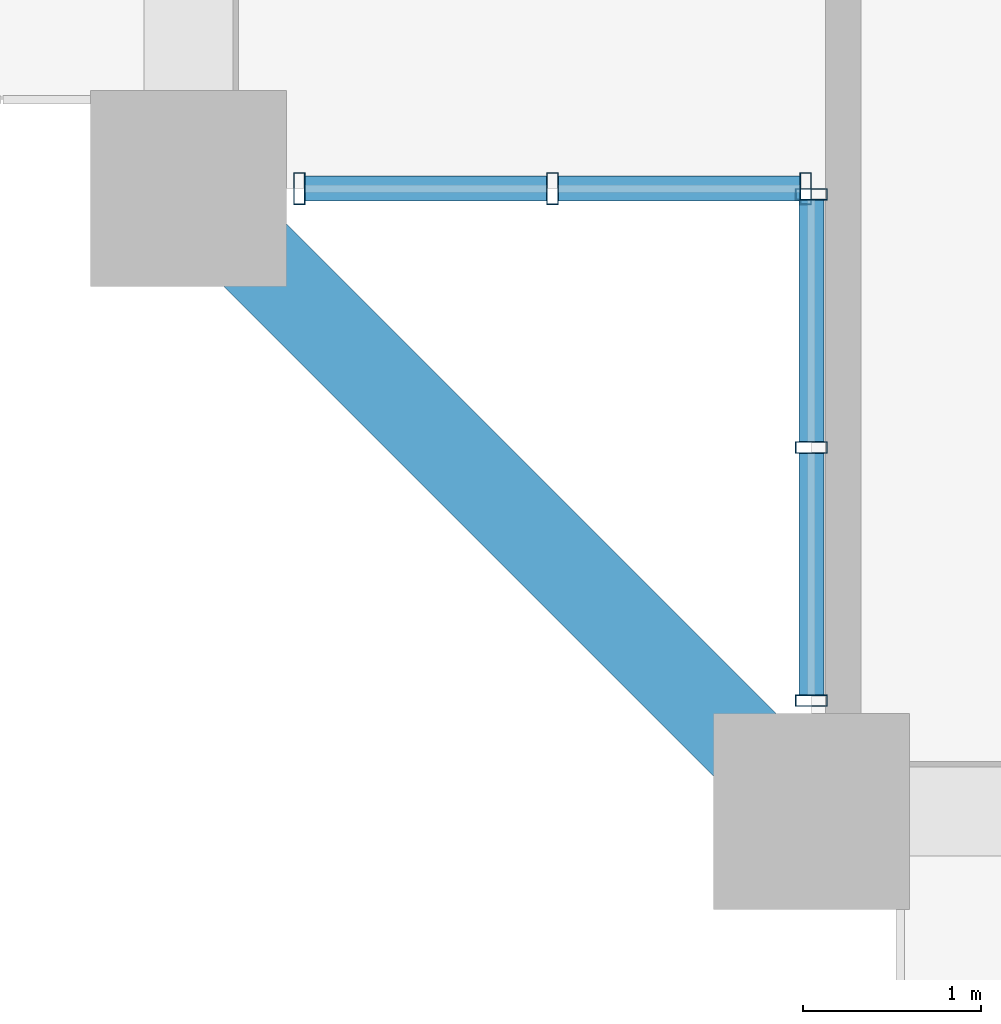
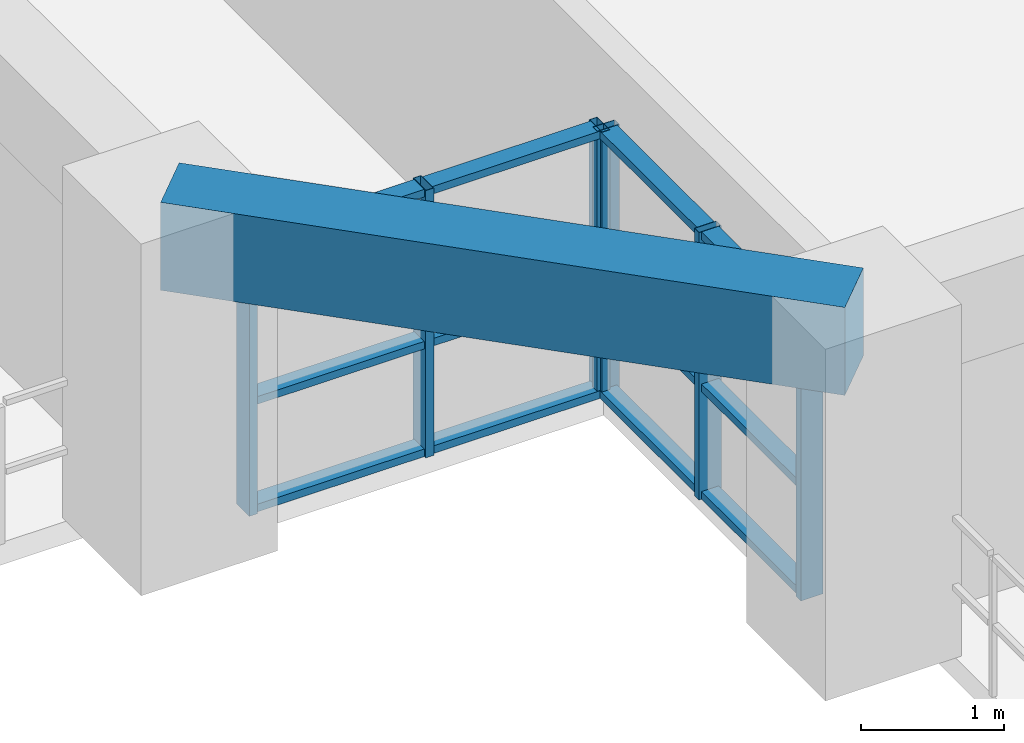
# One storey, part 2 of 27: 18 members, 1 beam, 2 elements without a shape of their own.
"""IFC4 building model written with IfcOpenShell, lengths in metres."""

from ifc_helpers import new_model, si_unit, direction, frame, origin, origin_2d, place, context, subcontext, project, spatial, rectangle, hollow_rectangle, extrude, source, transform, mapped, material, layer, layer_set, material_profile, profile_set, type_object, element, aggregate, save


model = new_model("IFC4")

# Units and contexts
model_context = context("Model", 3, precision=1e-05, world=origin(), true_north=direction((0.0, 1.0)))
body_context = subcontext(model_context, "Body", "Model", "MODEL_VIEW")
ifc_project = project(units=[si_unit("LENGTHUNIT", "METRE"), si_unit("AREAUNIT", "SQUARE_METRE"), si_unit("VOLUMEUNIT", "CUBIC_METRE"), si_unit("PLANEANGLEUNIT", "RADIAN"), si_unit("MASSUNIT", "GRAM", prefix="KILO")], contexts=[model_context])

# Site, building, storey
site_placement = place(None, origin())
site = spatial("IfcSite", under=ifc_project, at=site_placement, CompositionType="ELEMENT")
building_placement = place(site_placement, origin())
building = spatial("IfcBuilding", under=site, at=building_placement, Name="Saelheon Loggia Tower", CompositionType="ELEMENT")
storey_placement = place(building_placement, frame((0.0, 0.0, 52.39990234375)))
storey = spatial("IfcBuildingStorey", under=building, at=storey_placement, Name="L16", CompositionType="ELEMENT", Elevation=52.39990234375)

# Beam
ifc_material_1 = material(Name="Concrete C45/55", Category="concrete")
ifc_material_profile_1 = material_profile(ifc_material_1, rectangle(XDim=0.5, YDim=0.75, at=origin_2d()), Name="RC-500x750")
ifc_profile_set_1 = profile_set([ifc_material_profile_1], Name="Concrete C45/55")
beam_type = type_object("IfcBeamType", Name="Beam_PerimGirder_RC500x750", PredefinedType="BEAM", material=ifc_profile_set_1)
shared_shape_1 = source(origin(), body_context, "Body", "SweptSolid", [
    extrude(rectangle(XDim=0.5, YDim=0.75, at=origin_2d()), origin(), (0.0, 0.0, 1.0), 4.94970703125),
])
beam_placement = place(storey_placement, frame((12.0, 6.5, 2.625), z_axis=(0.707106781187, -0.707106781187, 0.0), x_axis=(0.707106781187, 0.707106781187, 0.0)))
element("IfcBeam", 1, at=beam_placement, inside=storey, type_object=beam_type, Name="L16 Perimeter Frame Girder 16", PredefinedType="BEAM", context=body_context, shape_type="MappedRepresentation", body=[
    mapped(shared_shape_1, transform((0.0, 0.0, 0.0), scale=1.0)),
])

# Curtain wall, members
ifc_material_2 = material(Name="Thermal-Break Aluminium and Triple Low-E Glass", Category="aluminium")
ifc_layer = layer(ifc_material_2, 0.159912109375)
ifc_layer_set = layer_set([ifc_layer], Name="Thermal-Break Aluminium and Triple Low-E Glass")
curtain_wall_type = type_object("IfcCurtainWallType", Name="CW_TowerLoggiaLow", PredefinedType="NOTDEFINED", material=ifc_layer_set)
curtain_wall_1_placement = place(storey_placement, origin())
curtain_wall_1 = element("IfcCurtainWall", 2, at=curtain_wall_1_placement, inside=storey, type_object=curtain_wall_type, Name="L16 Corner Notch Glazing SW1", PredefinedType="NOTDEFINED")
ifc_material_3 = material(Name="Anodised Aluminium 6063-T6", Category="aluminium")
ifc_material_profile_2 = material_profile(ifc_material_3, hollow_rectangle(XDim=0.06494140625, YDim=0.179931640625, WallThickness=0.00390625, at=origin_2d()), Name="RHS-180x65x4")
ifc_profile_set_2 = profile_set([ifc_material_profile_2], Name="Anodised Aluminium 6063-T6")
member_type_1 = type_object("IfcMemberType", Name="CW_TowerLoggiaLow_Mullion", PredefinedType="MULLION", material=ifc_profile_set_2)
shared_shape_2 = source(origin(), body_context, "Body", "SweptSolid", [
    extrude(hollow_rectangle(XDim=0.06494140625, YDim=0.179931640625, WallThickness=0.00390625, at=origin_2d()), origin(), (0.0, 0.0, 1.0), 2.280029296875),
])
member_1_placement = place(storey_placement, frame((15.5, 3.62255859375, 0.0), z_axis=(0.0, 0.0, 1.0), x_axis=(0.0, 1.0, 0.0)))
member_1 = element("IfcMember", 3, at=member_1_placement, type_object=member_type_1, Name="CW3 mullion 1", PredefinedType="MULLION", context=body_context, shape_type="MappedRepresentation", body=[
    mapped(shared_shape_2, transform((0.0, 0.0, 0.0), scale=1.0)),
])
member_2_placement = place(storey_placement, frame((15.5, 5.044921875, 0.0), z_axis=(0.0, 0.0, 1.0), x_axis=(0.0, 1.0, 0.0)))
member_2 = element("IfcMember", 4, at=member_2_placement, type_object=member_type_1, Name="CW3 mullion 2", PredefinedType="MULLION", context=body_context, shape_type="MappedRepresentation", body=[
    mapped(shared_shape_2, transform((0.0, 0.0, 0.0), scale=1.0)),
])
member_3_placement = place(storey_placement, frame((15.5, 6.467529296875, 0.0), z_axis=(0.0, 0.0, 1.0), x_axis=(0.0, 1.0, 0.0)))
member_3 = element("IfcMember", 5, at=member_3_placement, type_object=member_type_1, Name="CW3 mullion 3", PredefinedType="MULLION", context=body_context, shape_type="MappedRepresentation", body=[
    mapped(shared_shape_2, transform((0.0, 0.0, 0.0), scale=1.0)),
])

curtain_wall_2_placement = place(storey_placement, origin())
curtain_wall_2 = element("IfcCurtainWall", 6, at=curtain_wall_2_placement, inside=storey, type_object=curtain_wall_type, Name="L16 Corner Notch Glazing SW2", PredefinedType="NOTDEFINED")
member_4_placement = place(storey_placement, frame((12.62255859375, 6.5, 0.0), z_axis=(0.0, 0.0, 1.0), x_axis=(1.0, 0.0, 0.0)))
member_4 = element("IfcMember", 7, at=member_4_placement, type_object=member_type_1, Name="CW3 mullion 1", PredefinedType="MULLION", context=body_context, shape_type="MappedRepresentation", body=[
    mapped(shared_shape_2, transform((0.0, 0.0, 0.0), scale=1.0)),
])
member_5_placement = place(storey_placement, frame((14.044921875, 6.5, 0.0), z_axis=(0.0, 0.0, 1.0), x_axis=(1.0, 0.0, 0.0)))
member_5 = element("IfcMember", 8, at=member_5_placement, type_object=member_type_1, Name="CW3 mullion 2", PredefinedType="MULLION", context=body_context, shape_type="MappedRepresentation", body=[
    mapped(shared_shape_2, transform((0.0, 0.0, 0.0), scale=1.0)),
])
member_6_placement = place(storey_placement, frame((15.467529296875, 6.5, 0.0), z_axis=(0.0, 0.0, 1.0), x_axis=(1.0, 0.0, 0.0)))
member_6 = element("IfcMember", 9, at=member_6_placement, type_object=member_type_1, Name="CW3 mullion 3", PredefinedType="MULLION", context=body_context, shape_type="MappedRepresentation", body=[
    mapped(shared_shape_2, transform((0.0, 0.0, 0.0), scale=1.0)),
])

# Member
ifc_material_profile_3 = material_profile(ifc_material_3, hollow_rectangle(XDim=0.06494140625, YDim=0.139892578125, WallThickness=0.00390625, at=origin_2d()), Name="RHS-140x65x4")
ifc_profile_set_3 = profile_set([ifc_material_profile_3], Name="Anodised Aluminium 6063-T6")
member_type_2 = type_object("IfcMemberType", Name="CW_TowerLoggiaLow_Transom", PredefinedType="USERDEFINED", material=ifc_profile_set_3)
shared_shape_3 = source(origin(), body_context, "Body", "SweptSolid", [
    extrude(hollow_rectangle(XDim=0.06494140625, YDim=0.139892578125, WallThickness=0.00390625, at=origin_2d()), origin(), (0.0, 0.0, 1.0), 1.357421875),
])
member_7_placement = place(storey_placement, frame((15.5, 3.655029296875, 0.03271484375), z_axis=(0.0, 1.0, 0.0), x_axis=(0.0, 0.0, 1.0)))
member_7 = element("IfcMember", 10, at=member_7_placement, type_object=member_type_2, Name="CW3 transom 1.1", ObjectType="TRANSOM", PredefinedType="USERDEFINED", context=body_context, shape_type="MappedRepresentation", body=[
    mapped(shared_shape_3, transform((0.0, 0.0, 0.0), scale=1.0)),
])

member_8_placement = place(storey_placement, frame((15.5, 3.655029296875, 0.9501953125), z_axis=(0.0, 1.0, 0.0), x_axis=(0.0, 0.0, 1.0)))
member_8 = element("IfcMember", 11, at=member_8_placement, type_object=member_type_2, Name="CW3 transom 1.2", ObjectType="TRANSOM", PredefinedType="USERDEFINED", context=body_context, shape_type="MappedRepresentation", body=[
    mapped(shared_shape_3, transform((0.0, 0.0, 0.0), scale=1.0)),
])

member_9_placement = place(storey_placement, frame((15.5, 3.655029296875, 2.24755859375), z_axis=(0.0, 1.0, 0.0), x_axis=(0.0, 0.0, 1.0)))
member_9 = element("IfcMember", 12, at=member_9_placement, type_object=member_type_2, Name="CW3 transom 1.3", ObjectType="TRANSOM", PredefinedType="USERDEFINED", context=body_context, shape_type="MappedRepresentation", body=[
    mapped(shared_shape_3, transform((0.0, 0.0, 0.0), scale=1.0)),
])

member_10_placement = place(storey_placement, frame((12.655029296875, 6.5, 0.03271484375), z_axis=(1.0, 0.0, 0.0), x_axis=(0.0, 0.0, 1.0)))
member_10 = element("IfcMember", 13, at=member_10_placement, type_object=member_type_2, Name="CW3 transom 1.1", ObjectType="TRANSOM", PredefinedType="USERDEFINED", context=body_context, shape_type="MappedRepresentation", body=[
    mapped(shared_shape_3, transform((0.0, 0.0, 0.0), scale=1.0)),
])

member_11_placement = place(storey_placement, frame((12.655029296875, 6.5, 0.9501953125), z_axis=(1.0, 0.0, 0.0), x_axis=(0.0, 0.0, 1.0)))
member_11 = element("IfcMember", 14, at=member_11_placement, type_object=member_type_2, Name="CW3 transom 1.2", ObjectType="TRANSOM", PredefinedType="USERDEFINED", context=body_context, shape_type="MappedRepresentation", body=[
    mapped(shared_shape_3, transform((0.0, 0.0, 0.0), scale=1.0)),
])

member_12_placement = place(storey_placement, frame((12.655029296875, 6.5, 2.24755859375), z_axis=(1.0, 0.0, 0.0), x_axis=(0.0, 0.0, 1.0)))
member_12 = element("IfcMember", 15, at=member_12_placement, type_object=member_type_2, Name="CW3 transom 1.3", ObjectType="TRANSOM", PredefinedType="USERDEFINED", context=body_context, shape_type="MappedRepresentation", body=[
    mapped(shared_shape_3, transform((0.0, 0.0, 0.0), scale=1.0)),
])

shared_shape_4 = source(origin(), body_context, "Body", "SweptSolid", [
    extrude(hollow_rectangle(XDim=0.06494140625, YDim=0.139892578125, WallThickness=0.00390625, at=origin_2d()), origin(), (0.0, 0.0, 1.0), 1.357666015625),
])
member_13_placement = place(storey_placement, frame((15.5, 5.077392578125, 0.03271484375), z_axis=(0.0, 1.0, 0.0), x_axis=(0.0, 0.0, 1.0)))
member_13 = element("IfcMember", 16, at=member_13_placement, type_object=member_type_2, Name="CW3 transom 2.1", ObjectType="TRANSOM", PredefinedType="USERDEFINED", context=body_context, shape_type="MappedRepresentation", body=[
    mapped(shared_shape_4, transform((0.0, 0.0, 0.0), scale=1.0)),
])

member_14_placement = place(storey_placement, frame((15.5, 5.077392578125, 0.9501953125), z_axis=(0.0, 1.0, 0.0), x_axis=(0.0, 0.0, 1.0)))
member_14 = element("IfcMember", 17, at=member_14_placement, type_object=member_type_2, Name="CW3 transom 2.2", ObjectType="TRANSOM", PredefinedType="USERDEFINED", context=body_context, shape_type="MappedRepresentation", body=[
    mapped(shared_shape_4, transform((0.0, 0.0, 0.0), scale=1.0)),
])

member_15_placement = place(storey_placement, frame((15.5, 5.077392578125, 2.24755859375), z_axis=(0.0, 1.0, 0.0), x_axis=(0.0, 0.0, 1.0)))
member_15 = element("IfcMember", 18, at=member_15_placement, type_object=member_type_2, Name="CW3 transom 2.3", ObjectType="TRANSOM", PredefinedType="USERDEFINED", context=body_context, shape_type="MappedRepresentation", body=[
    mapped(shared_shape_4, transform((0.0, 0.0, 0.0), scale=1.0)),
])

aggregate(curtain_wall_1, [member_1, member_2, member_3, member_7, member_8, member_9, member_13, member_14, member_15])

member_16_placement = place(storey_placement, frame((14.077392578125, 6.5, 0.03271484375), z_axis=(1.0, 0.0, 0.0), x_axis=(0.0, 0.0, 1.0)))
member_16 = element("IfcMember", 19, at=member_16_placement, type_object=member_type_2, Name="CW3 transom 2.1", ObjectType="TRANSOM", PredefinedType="USERDEFINED", context=body_context, shape_type="MappedRepresentation", body=[
    mapped(shared_shape_4, transform((0.0, 0.0, 0.0), scale=1.0)),
])

member_17_placement = place(storey_placement, frame((14.077392578125, 6.5, 0.9501953125), z_axis=(1.0, 0.0, 0.0), x_axis=(0.0, 0.0, 1.0)))
member_17 = element("IfcMember", 20, at=member_17_placement, type_object=member_type_2, Name="CW3 transom 2.2", ObjectType="TRANSOM", PredefinedType="USERDEFINED", context=body_context, shape_type="MappedRepresentation", body=[
    mapped(shared_shape_4, transform((0.0, 0.0, 0.0), scale=1.0)),
])

member_18_placement = place(storey_placement, frame((14.077392578125, 6.5, 2.24755859375), z_axis=(1.0, 0.0, 0.0), x_axis=(0.0, 0.0, 1.0)))
member_18 = element("IfcMember", 21, at=member_18_placement, type_object=member_type_2, Name="CW3 transom 2.3", ObjectType="TRANSOM", PredefinedType="USERDEFINED", context=body_context, shape_type="MappedRepresentation", body=[
    mapped(shared_shape_4, transform((0.0, 0.0, 0.0), scale=1.0)),
])

aggregate(curtain_wall_2, [member_4, member_5, member_6, member_10, member_11, member_12, member_16, member_17, member_18])

save(model, "model.ifc")
